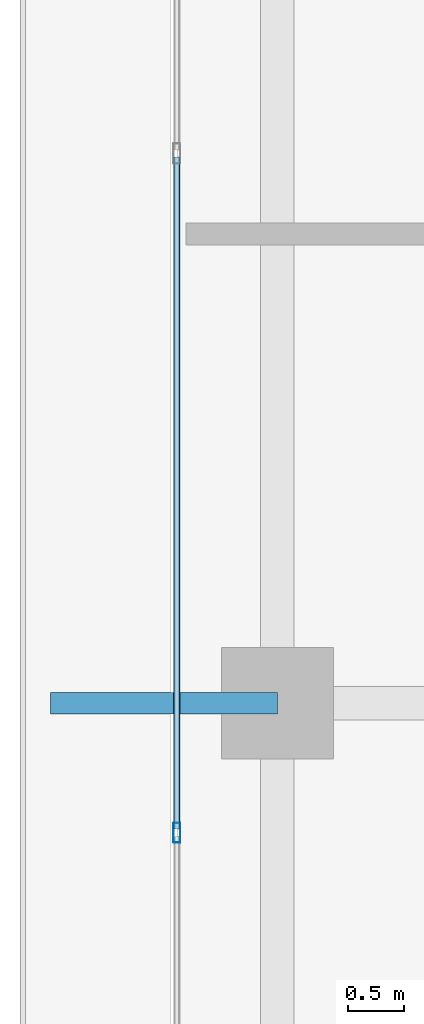
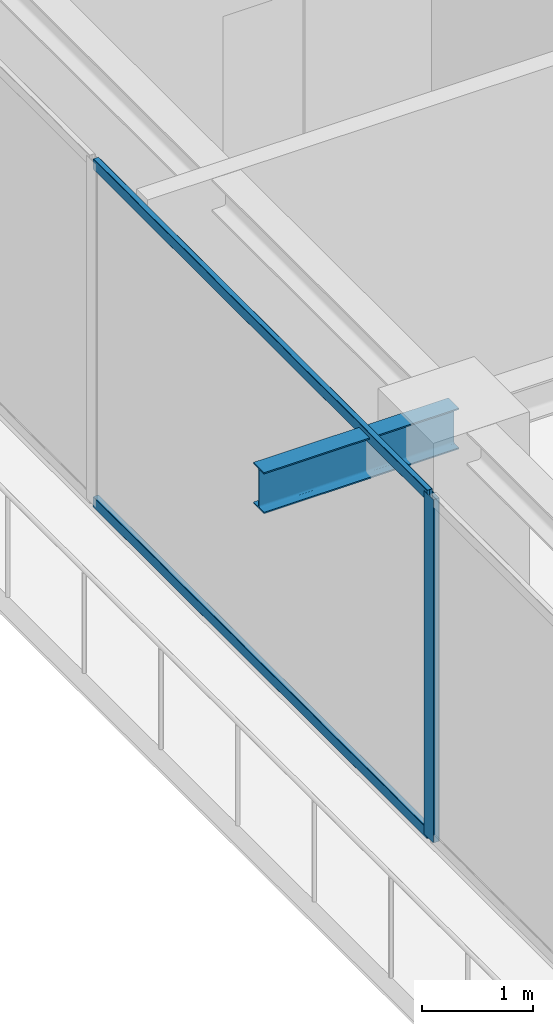
# One storey, part 10 of 42: 3 members, 1 beam, 1 element without a shape of its own.
"""IFC4 building model written with IfcOpenShell, lengths in metres."""

from ifc_helpers import new_model, si_unit, direction, frame, origin, origin_2d, place, context, subcontext, project, spatial, hollow_rectangle, i_section, extrude, source, transform, mapped, material, layer, layer_set, material_profile, profile_set, type_object, element, aggregate, save


model = new_model("IFC4")

# Units and contexts
model_context = context("Model", 3, precision=1e-05, world=origin(), true_north=direction((0.0, 1.0)))
body_context = subcontext(model_context, "Body", "Model", "MODEL_VIEW")
ifc_project = project(units=[si_unit("LENGTHUNIT", "METRE"), si_unit("AREAUNIT", "SQUARE_METRE"), si_unit("VOLUMEUNIT", "CUBIC_METRE"), si_unit("PLANEANGLEUNIT", "RADIAN"), si_unit("MASSUNIT", "GRAM", prefix="KILO")], contexts=[model_context])

# Site, building, storey
site_placement = place(None, origin())
site = spatial("IfcSite", under=ifc_project, at=site_placement, CompositionType="ELEMENT")
building_placement = place(site_placement, origin())
building = spatial("IfcBuilding", under=site, at=building_placement, Name="Serunith Strait Residences", CompositionType="ELEMENT")
storey_placement = place(building_placement, frame((0.0, 0.0, 325.85009765625)))
storey = spatial("IfcBuildingStorey", under=building, at=storey_placement, Name="L81", CompositionType="ELEMENT", Elevation=325.85009765625)

# Beam
ifc_material_1 = material(Name="Steel S355J2", Category="steel")
ifc_material_profile_1 = material_profile(ifc_material_1, i_section(OverallWidth=0.18994140625, OverallDepth=0.449951171875, WebThickness=0.009521484375, FlangeThickness=0.0146484375, FilletRadius=0.02099609375, at=origin_2d()), Name="IPE 450")
ifc_profile_set_1 = profile_set([ifc_material_profile_1], Name="Steel S355J2")
beam_type = type_object("IfcBeamType", Name="BM-IPE450", PredefinedType="JOIST", material=ifc_profile_set_1)
shared_shape_1 = source(origin(), body_context, "Body", "SweptSolid", [
    extrude(i_section(OverallWidth=0.18994140625, OverallDepth=0.449951171875, WebThickness=0.009521484375, FlangeThickness=0.0146484375, FilletRadius=0.02099609375, at=origin_2d()), origin(), (0.0, 0.0, 1.0), 2.030029296875),
])
beam_placement = place(storey_placement, frame((10.10009765625, 29.39990234375, 3.531982421875), z_axis=(-1.0, 0.0, 0.0), x_axis=(0.0, -1.0, 0.0)))
element("IfcBeam", 1, at=beam_placement, inside=storey, type_object=beam_type, Name="L82 Cantilevered Balcony Rib TC-W3", PredefinedType="JOIST", context=body_context, shape_type="MappedRepresentation", body=[
    mapped(shared_shape_1, transform((0.0, 0.0, 0.0), scale=1.0)),
])

# Curtain wall, members
ifc_material_2 = material(Name="Brushed Stainless-Silver Aluminium", Category="aluminium")
ifc_layer = layer(ifc_material_2, 0.199951171875, Name="Brushed Stainless-Silver Aluminium")
ifc_layer_set = layer_set([ifc_layer], Name="Brushed Stainless-Silver Aluminium")
curtain_wall_type = type_object("IfcCurtainWallType", Name="CW-SYS5", PredefinedType="NOTDEFINED", material=ifc_layer_set)
curtain_wall_placement = place(storey_placement, origin())
curtain_wall = element("IfcCurtainWall", 2, at=curtain_wall_placement, inside=storey, type_object=curtain_wall_type, Name="L81 W Unitised Fritted Curtain Wall", PredefinedType="NOTDEFINED")
ifc_material_profile_2 = material_profile(ifc_material_2, hollow_rectangle(XDim=0.06005859375, YDim=0.1201171875, WallThickness=0.00341796875, InnerFilletRadius=0.00537109375, OuterFilletRadius=0.0087890625, at=origin_2d()), Name="ALU 120x60x3.5")
ifc_profile_set_2 = profile_set([ifc_material_profile_2], Name="Brushed Stainless-Silver Aluminium")
member_type_1 = type_object("IfcMemberType", Name="CW-SYS5-TRAN", PredefinedType="USERDEFINED", material=ifc_profile_set_2)
shared_shape_2 = source(origin(), body_context, "Body", "SweptSolid", [
    extrude(hollow_rectangle(XDim=0.06005859375, YDim=0.1201171875, WallThickness=0.00341796875, InnerFilletRadius=0.00537109375, OuterFilletRadius=0.0087890625, at=origin_2d()), origin(), (0.0, 0.0, 1.0), 6.01513671875),
])
member_1_placement = place(storey_placement, frame((9.199951171875, 34.28759765625, 0.02978515625), z_axis=(0.0, -1.0, 0.0), x_axis=(1.0, 0.0, 0.0)))
member_1 = element("IfcMember", 3, at=member_1_placement, type_object=member_type_1, Name="CW-5 transom 2.1", ObjectType="TRANSOM", PredefinedType="USERDEFINED", context=body_context, shape_type="MappedRepresentation", body=[
    mapped(shared_shape_2, transform((0.0, 0.0, 0.0), scale=1.0)),
])
member_2_placement = place(storey_placement, frame((9.199951171875, 34.28759765625, 3.744873046875), z_axis=(0.0, -1.0, 0.0), x_axis=(1.0, 0.0, 0.0)))
member_2 = element("IfcMember", 4, at=member_2_placement, type_object=member_type_1, Name="CW-5 transom 2.2", ObjectType="TRANSOM", PredefinedType="USERDEFINED", context=body_context, shape_type="MappedRepresentation", body=[
    mapped(shared_shape_2, transform((0.0, 0.0, 0.0), scale=1.0)),
])
ifc_material_profile_3 = material_profile(ifc_material_2, hollow_rectangle(XDim=0.06494140625, YDim=0.179931640625, WallThickness=0.00341796875, InnerFilletRadius=0.00537109375, OuterFilletRadius=0.0087890625, at=origin_2d()), Name="ALU 180x65x3.5")
ifc_profile_set_3 = profile_set([ifc_material_profile_3], Name="Brushed Stainless-Silver Aluminium")
member_type_2 = type_object("IfcMemberType", Name="CW-SYS5-MULL", PredefinedType="MULLION", material=ifc_profile_set_3)
shared_shape_3 = source(origin(), body_context, "Body", "SweptSolid", [
    extrude(hollow_rectangle(XDim=0.06494140625, YDim=0.179931640625, WallThickness=0.00341796875, InnerFilletRadius=0.00537109375, OuterFilletRadius=0.0087890625, at=origin_2d()), origin(), (0.0, 0.0, 1.0), 3.77490234375),
])
member_3_placement = place(storey_placement, frame((9.199951171875, 28.239990234375, 0.0), z_axis=(0.0, 0.0, 1.0), x_axis=(1.0, 0.0, 0.0)))
member_3 = element("IfcMember", 5, at=member_3_placement, type_object=member_type_2, Name="CW-5 mullion 3", PredefinedType="MULLION", context=body_context, shape_type="MappedRepresentation", body=[
    mapped(shared_shape_3, transform((0.0, 0.0, 0.0), scale=1.0)),
])
aggregate(curtain_wall, [member_3, member_1, member_2])

save(model, "model.ifc")
